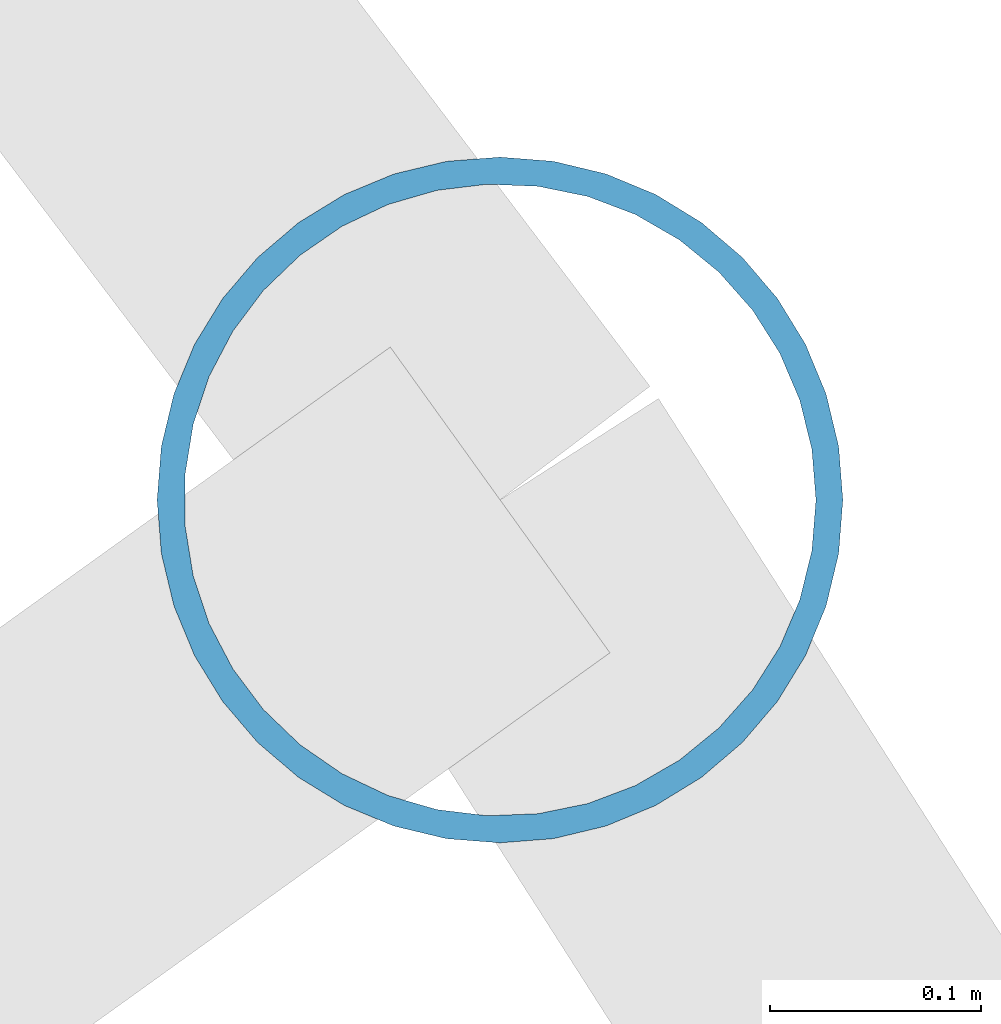
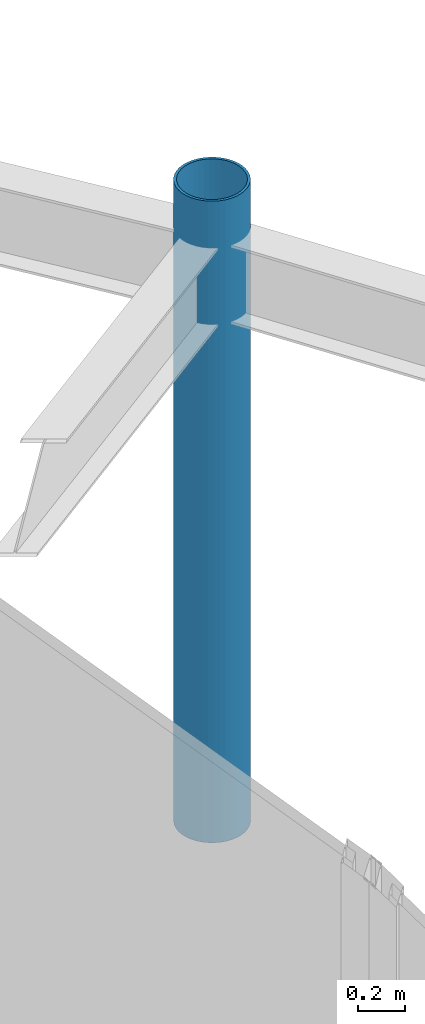
# One storey, part 24 of 29: 1 member.
"""IFC4 building model written with IfcOpenShell, lengths in metres."""

from ifc_helpers import new_model, si_unit, direction, frame, origin, origin_2d, place, context, subcontext, project, spatial, hollow_circle, extrude, material, material_profile, profile_set, type_object, element, save


model = new_model("IFC4")

# Units and contexts
model_context = context("Model", 3, precision=1e-05, world=origin(), true_north=direction((0.0, 1.0)))
body_context = subcontext(model_context, "Body", "Model", "MODEL_VIEW")
ifc_project = project(units=[si_unit("LENGTHUNIT", "METRE"), si_unit("AREAUNIT", "SQUARE_METRE"), si_unit("VOLUMEUNIT", "CUBIC_METRE"), si_unit("PLANEANGLEUNIT", "RADIAN"), si_unit("MASSUNIT", "GRAM", prefix="KILO")], contexts=[model_context])

# Site, building, storey
site_placement = place(None, origin())
site = spatial("IfcSite", under=ifc_project, at=site_placement, CompositionType="ELEMENT")
building_placement = place(site_placement, origin())
building = spatial("IfcBuilding", under=site, at=building_placement, Name="Orvanel Arch Residences", CompositionType="ELEMENT")
storey_placement = place(building_placement, frame((0.0, 0.0, 243.64990234375)))
storey = spatial("IfcBuildingStorey", under=building, at=storey_placement, Name="L69", CompositionType="ELEMENT", Elevation=243.64990234375)

# Member
ifc_material = material(Name="Structural steel AS/NZS 1163 C350L0 (Grade 350)", Category="steel")
ifc_material_profile = material_profile(ifc_material, hollow_circle(Radius=0.162109375, WallThickness=0.0126953125, at=origin_2d()), Name="CHS324x12.7")
ifc_profile_set = profile_set([ifc_material_profile], Name="Structural steel AS/NZS 1163 C350L0 (Grade 350)")
member_type = type_object("IfcMemberType", Name="ST-324CHS-EXT", PredefinedType="STRUT", material=ifc_profile_set)
member_placement = place(storey_placement, frame((44.992919921875, 35.176025390625, 0.0), z_axis=(0.0, 0.0, 1.0), x_axis=(1.0, 0.0, 0.0)))
element("IfcMember", 1, at=member_placement, inside=storey, type_object=member_type, Name="L69 Outer Perimeter Frame Post 11", PredefinedType="STRUT", context=body_context, shape_type="SweptSolid", body=[
    extrude(hollow_circle(Radius=0.162109375, WallThickness=0.0126953125, at=origin_2d()), origin(), (0.0, 0.0, 1.0), 3.300048828125),
])

save(model, "model.ifc")
